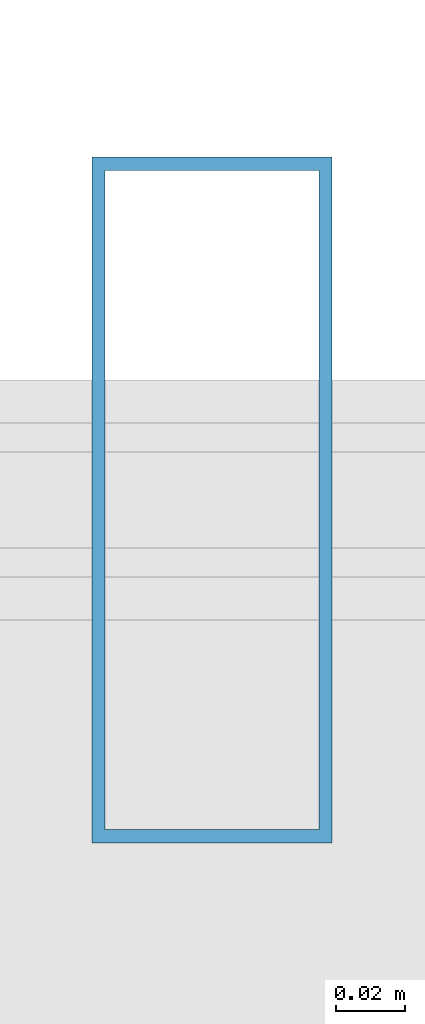
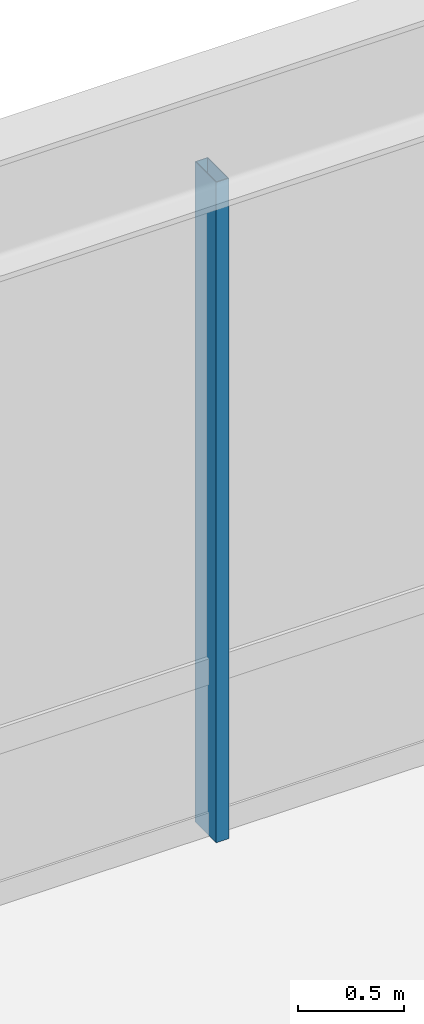
# One storey, part 9 of 22: 1 member, 1 element without a shape of its own.
"""IFC4 building model written with IfcOpenShell, lengths in metres."""

from ifc_helpers import new_model, si_unit, direction, frame, origin, origin_2d, place, context, subcontext, project, spatial, hollow_rectangle, extrude, source, transform, mapped, material, layer, layer_set, material_profile, profile_set, type_object, element, aggregate, save


model = new_model("IFC4")

# Units and contexts
model_context = context("Model", 3, precision=1e-05, world=origin(), true_north=direction((0.0, 1.0)))
body_context = subcontext(model_context, "Body", "Model", "MODEL_VIEW")
ifc_project = project(units=[si_unit("LENGTHUNIT", "METRE"), si_unit("AREAUNIT", "SQUARE_METRE"), si_unit("VOLUMEUNIT", "CUBIC_METRE"), si_unit("PLANEANGLEUNIT", "RADIAN"), si_unit("MASSUNIT", "GRAM", prefix="KILO")], contexts=[model_context])

# Site, building, storey
site_placement = place(None, origin())
site = spatial("IfcSite", under=ifc_project, at=site_placement, CompositionType="ELEMENT")
building_placement = place(site_placement, origin())
building = spatial("IfcBuilding", under=site, at=building_placement, Name="Kaliganga Portal Commons", CompositionType="ELEMENT")
storey_placement = place(building_placement, frame((0.0, 0.0, 5.39990234375)))
storey = spatial("IfcBuildingStorey", under=building, at=storey_placement, Name="L01", CompositionType="ELEMENT", Elevation=5.39990234375)

# Curtain wall, member
ifc_material_1 = material(Name="Anodized Aluminium and Laminated Low-E Glass", Category="aluminium")
ifc_layer = layer(ifc_material_1, 0.219970703125)
ifc_layer_set = layer_set([ifc_layer], Name="Anodized Aluminium and Laminated Low-E Glass")
curtain_wall_type = type_object("IfcCurtainWallType", Name="CW-SYS-01", PredefinedType="NOTDEFINED", material=ifc_layer_set)
curtain_wall_placement = place(storey_placement, origin())
curtain_wall = element("IfcCurtainWall", 1, at=curtain_wall_placement, inside=storey, type_object=curtain_wall_type, Name="CW 01 L01 P1E02S3", PredefinedType="NOTDEFINED")
ifc_material_2 = material(Name="Dark Bronze Anodized Aluminium", Category="aluminium")
ifc_material_profile = material_profile(ifc_material_2, hollow_rectangle(XDim=0.070068359375, YDim=0.199951171875, WallThickness=0.00390625, at=origin_2d()), Name="ALU MULL 70x200x4")
ifc_profile_set = profile_set([ifc_material_profile], Name="Dark Bronze Anodized Aluminium")
member_type = type_object("IfcMemberType", Name="CW-MUL-220", PredefinedType="MULLION", material=ifc_profile_set)
shared_shape = source(origin(), body_context, "Body", "SweptSolid", [
    extrude(hollow_rectangle(XDim=0.070068359375, YDim=0.199951171875, WallThickness=0.00390625, at=origin_2d()), origin(), (0.0, 0.0, 1.0), 3.820068359375),
])
member_placement = place(storey_placement, frame((51.121826171875, 45.0, 0.0), z_axis=(0.0, 0.0, 1.0), x_axis=(-1.0, 0.0, 0.0)))
member = element("IfcMember", 2, at=member_placement, type_object=member_type, Name="CW:01:L01:P1E02S3 Mullion 05", PredefinedType="MULLION", context=body_context, shape_type="MappedRepresentation", body=[
    mapped(shared_shape, transform((0.0, 0.0, 0.0), x_axis=(1.0, 0.0, 0.0), y_axis=(0.0, 1.0, 0.0), z_axis=(0.0, 0.0, 1.0), scale=1.0)),
])
aggregate(curtain_wall, [member])

save(model, "model.ifc")
